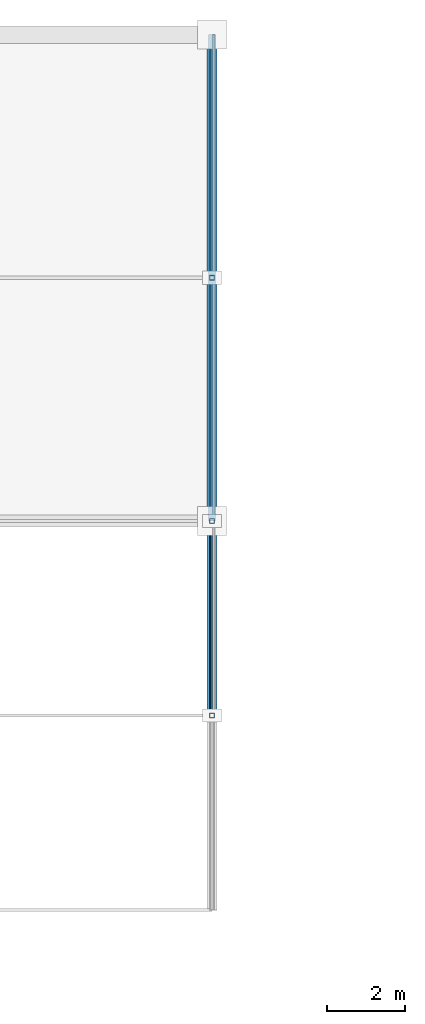
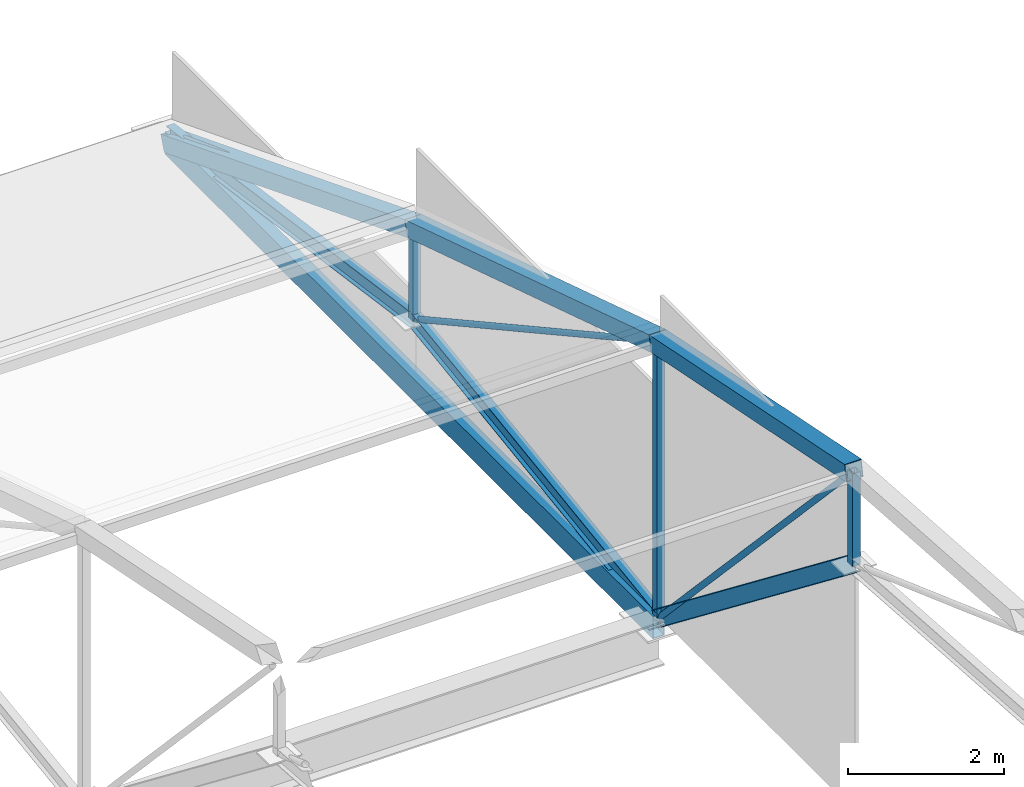
# One storey, part 37 of 66: 12 members, 1 beam.
"""IFC4 building model written with IfcOpenShell, lengths in metres."""

from ifc_helpers import new_model, si_unit, direction, frame, origin, origin_2d, place, context, subcontext, project, spatial, hollow_rectangle, hollow_circle, i_section, extrude, material, material_profile, profile_set, type_object, element, save


model = new_model("IFC4")

# Units and contexts
model_context = context("Model", 3, precision=1e-05, world=origin(), true_north=direction((0.0, 1.0)))
body_context = subcontext(model_context, "Body", "Model", "MODEL_VIEW")
ifc_project = project(units=[si_unit("LENGTHUNIT", "METRE"), si_unit("AREAUNIT", "SQUARE_METRE"), si_unit("VOLUMEUNIT", "CUBIC_METRE"), si_unit("PLANEANGLEUNIT", "RADIAN"), si_unit("MASSUNIT", "GRAM", prefix="KILO")], contexts=[model_context])

# Site, building, storey
site_placement = place(None, origin())
site = spatial("IfcSite", under=ifc_project, at=site_placement, CompositionType="ELEMENT")
building_placement = place(site_placement, origin())
building = spatial("IfcBuilding", under=site, at=building_placement, Name="Solvikara Media Centre", CompositionType="ELEMENT")
storey_placement = place(building_placement, frame((0.0, 0.0, 19.800048828125)))
storey = spatial("IfcBuildingStorey", under=building, at=storey_placement, Name="L04", CompositionType="ELEMENT", Elevation=19.800048828125)

# Beam
ifc_material = material(Name="Steel S355JR", Category="steel")
ifc_material_profile_1 = material_profile(ifc_material, hollow_rectangle(XDim=0.175048828125, YDim=0.35009765625, WallThickness=0.010009765625, at=origin_2d()), Name="RHS 350x175x10")
ifc_profile_set_1 = profile_set([ifc_material_profile_1], Name="Steel S355JR")
beam_type = type_object("IfcBeamType", Name="BM-34", PredefinedType="SPANDREL", material=ifc_profile_set_1)
beam_placement = place(storey_placement, frame((34.0, 101.5, -0.275146484375), z_axis=(0.0, 1.0, 0.0), x_axis=(-1.0, 0.0, 0.0)))
element("IfcBeam", 1, at=beam_placement, inside=storey, type_object=beam_type, Name="B-L04-Y1516", PredefinedType="SPANDREL", context=body_context, shape_type="SweptSolid", body=[
    extrude(hollow_rectangle(XDim=0.175048828125, YDim=0.35009765625, WallThickness=0.010009765625, at=origin_2d()), origin(), (0.0, 0.0, 1.0), 12.5),
])

# Members
ifc_material_profile_2 = material_profile(ifc_material, hollow_circle(Radius=0.04443359375, WallThickness=0.0048828125, at=origin_2d()), Name="CHS 88.9x5")
ifc_profile_set_2 = profile_set([ifc_material_profile_2], Name="Steel S355JR")
member_type_1 = type_object("IfcMemberType", Name="MB-10", PredefinedType="BRACE", material=ifc_profile_set_2)
member_1_placement = place(storey_placement, frame((34.0, 114.0, -0.150146484375), z_axis=(0.0, -0.936701565778, 0.350128800114), x_axis=(1.0, 0.0, 0.0)))
element("IfcMember", 2, at=member_1_placement, inside=storey, type_object=member_type_1, Name="AM-DG-04-00", PredefinedType="BRACE", context=body_context, shape_type="SweptSolid", body=[
    extrude(hollow_circle(Radius=0.04443359375, WallThickness=0.0048828125, at=origin_2d()), origin(), (0.0, 0.0, 1.0), 6.67236328125),
])
member_2_placement = place(storey_placement, frame((34.0, 107.75, 0.73583984375), z_axis=(0.0, -0.875941246781, 0.482417798374), x_axis=(1.0, 0.0, 0.0)))
element("IfcMember", 3, at=member_2_placement, inside=storey, type_object=member_type_1, Name="AM-DG-04-01", PredefinedType="BRACE", context=body_context, shape_type="SweptSolid", body=[
    extrude(hollow_circle(Radius=0.04443359375, WallThickness=0.0048828125, at=origin_2d()), origin(), (0.0, 0.0, 1.0), 7.13525390625),
])
member_3_placement = place(storey_placement, frame((34.0, 101.5, -0.150146484375), z_axis=(0.0, -0.68381339208, 0.729656936383), x_axis=(1.0, 0.0, 0.0)))
element("IfcMember", 4, at=member_3_placement, inside=storey, type_object=member_type_1, Name="AM-DG-04-02", PredefinedType="BRACE", context=body_context, shape_type="SweptSolid", body=[
    extrude(hollow_circle(Radius=0.04443359375, WallThickness=0.0048828125, at=origin_2d()), origin(), (0.0, 0.0, 1.0), 7.31201171875),
])
ifc_material_profile_3 = material_profile(ifc_material, hollow_rectangle(XDim=0.25, YDim=0.25, WallThickness=0.010009765625, at=origin_2d()), Name="RHS 250x250x10")
ifc_profile_set_3 = profile_set([ifc_material_profile_3], Name="Steel S355JR")
member_type_2 = type_object("IfcMemberType", Name="MB-12", PredefinedType="CHORD", material=ifc_profile_set_3)
member_4_placement = place(storey_placement, frame((34.0, 114.0, -0.26513671875), z_axis=(0.0, -0.930963503854, 0.365112249168), x_axis=(1.0, 0.0, 0.0)))
element("IfcMember", 5, at=member_4_placement, inside=storey, type_object=member_type_2, Name="AM-TC-04-00", PredefinedType="CHORD", context=body_context, shape_type="SweptSolid", body=[
    extrude(hollow_rectangle(XDim=0.25, YDim=0.25, WallThickness=0.010009765625, at=origin_2d()), origin(), (0.0, 0.0, 1.0), 6.71337890625),
])
member_5_placement = place(storey_placement, frame((34.0, 107.75, 2.18603515625), z_axis=(0.0, -0.952780010233, 0.303661410293), x_axis=(1.0, 0.0, 0.0)))
element("IfcMember", 6, at=member_5_placement, inside=storey, type_object=member_type_2, Name="AM-TC-04-01", PredefinedType="CHORD", context=body_context, shape_type="SweptSolid", body=[
    extrude(hollow_rectangle(XDim=0.25, YDim=0.25, WallThickness=0.010009765625, at=origin_2d()), origin(), (0.0, 0.0, 1.0), 6.559814453125),
])
member_6_placement = place(storey_placement, frame((34.0, 101.5, 4.177978515625), z_axis=(0.0, -0.980312817606, 0.197450701788), x_axis=(1.0, 0.0, 0.0)))
element("IfcMember", 7, at=member_6_placement, inside=storey, type_object=member_type_2, Name="AM-TC-04-02", PredefinedType="CHORD", context=body_context, shape_type="SweptSolid", body=[
    extrude(hollow_rectangle(XDim=0.25, YDim=0.25, WallThickness=0.010009765625, at=origin_2d()), origin(), (0.0, 0.0, 1.0), 5.100341796875),
])
ifc_material_profile_4 = material_profile(ifc_material, i_section(OverallWidth=0.1240234375, OverallDepth=0.248046875, WebThickness=0.0048828125, FlangeThickness=0.008056640625, at=origin_2d()), Name="WF 248x124x5x8")
ifc_profile_set_4 = profile_set([ifc_material_profile_4], Name="Steel S355JR")
member_type_3 = type_object("IfcMemberType", Name="MB-23", PredefinedType="STRINGER", material=ifc_profile_set_4)
for number, where, z_axis, x_axis, name in (
    (8, (34.0, 114.0, -0.150146484375), (0.0, -0.990101301761, 0.140354594691), (1.0, 0.0, 0.0), "AM-BC-04-00"),
    (9, (34.0, 107.75, 0.73583984375), (0.0, -0.990101301761, -0.140354594691), (1.0, 0.0, 0.0), "AM-BC-04-01"),
):
    element("IfcMember", number, at=place(storey_placement, frame(where, z_axis=z_axis, x_axis=x_axis)), inside=storey, type_object=member_type_3, Name=name, PredefinedType="STRINGER", context=body_context, shape_type="SweptSolid", body=[
        extrude(i_section(OverallWidth=0.1240234375, OverallDepth=0.248046875, WebThickness=0.0048828125, FlangeThickness=0.008056640625, at=origin_2d()), origin(), (0.0, 0.0, 1.0), 6.3125),
    ])
member_7_placement = place(storey_placement, frame((34.0, 101.5, -0.150146484375), z_axis=(0.0, -0.789649014603, 0.61355882663), x_axis=(1.0, 0.0, 0.0)))
element("IfcMember", 10, at=member_7_placement, inside=storey, type_object=member_type_3, Name="AM-BC-04-02", PredefinedType="STRINGER", context=body_context, shape_type="SweptSolid", body=[
    extrude(i_section(OverallWidth=0.1240234375, OverallDepth=0.248046875, WebThickness=0.0048828125, FlangeThickness=0.008056640625, at=origin_2d()), origin(), (0.0, 0.0, 1.0), 6.33203125),
])
ifc_material_profile_5 = material_profile(ifc_material, hollow_rectangle(XDim=0.1201171875, YDim=0.1201171875, WallThickness=0.006103515625, at=origin_2d()), Name="RHS 120x120x6")
ifc_profile_set_5 = profile_set([ifc_material_profile_5], Name="Steel S355JR")
member_type_4 = type_object("IfcMemberType", Name="MB-24", PredefinedType="POST", material=ifc_profile_set_5)
member_8_placement = place(storey_placement, frame((34.0, 107.75, 0.73583984375), z_axis=(0.0, 0.0, 1.0), x_axis=(1.0, 0.0, 0.0)))
element("IfcMember", 11, at=member_8_placement, inside=storey, type_object=member_type_4, Name="AM-VT-04-01", PredefinedType="POST", context=body_context, shape_type="SweptSolid", body=[
    extrude(hollow_rectangle(XDim=0.1201171875, YDim=0.1201171875, WallThickness=0.006103515625, at=origin_2d()), origin(), (0.0, 0.0, 1.0), 1.4501953125),
])
member_9_placement = place(storey_placement, frame((34.0, 101.5, -0.150146484375), z_axis=(0.0, 0.0, 1.0), x_axis=(1.0, 0.0, 0.0)))
element("IfcMember", 12, at=member_9_placement, inside=storey, type_object=member_type_4, Name="AM-VT-04-02", PredefinedType="POST", context=body_context, shape_type="SweptSolid", body=[
    extrude(hollow_rectangle(XDim=0.1201171875, YDim=0.1201171875, WallThickness=0.006103515625, at=origin_2d()), origin(), (0.0, 0.0, 1.0), 4.328125),
])
member_10_placement = place(storey_placement, frame((34.0, 96.5, 3.73486328125), z_axis=(0.0, 0.0, 1.0), x_axis=(1.0, 0.0, 0.0)))
element("IfcMember", 13, at=member_10_placement, inside=storey, type_object=member_type_4, Name="AM-VT-04-03", PredefinedType="POST", context=body_context, shape_type="SweptSolid", body=[
    extrude(hollow_rectangle(XDim=0.1201171875, YDim=0.1201171875, WallThickness=0.006103515625, at=origin_2d()), origin(), (0.0, 0.0, 1.0), 1.4501953125),
])

save(model, "model.ifc")
